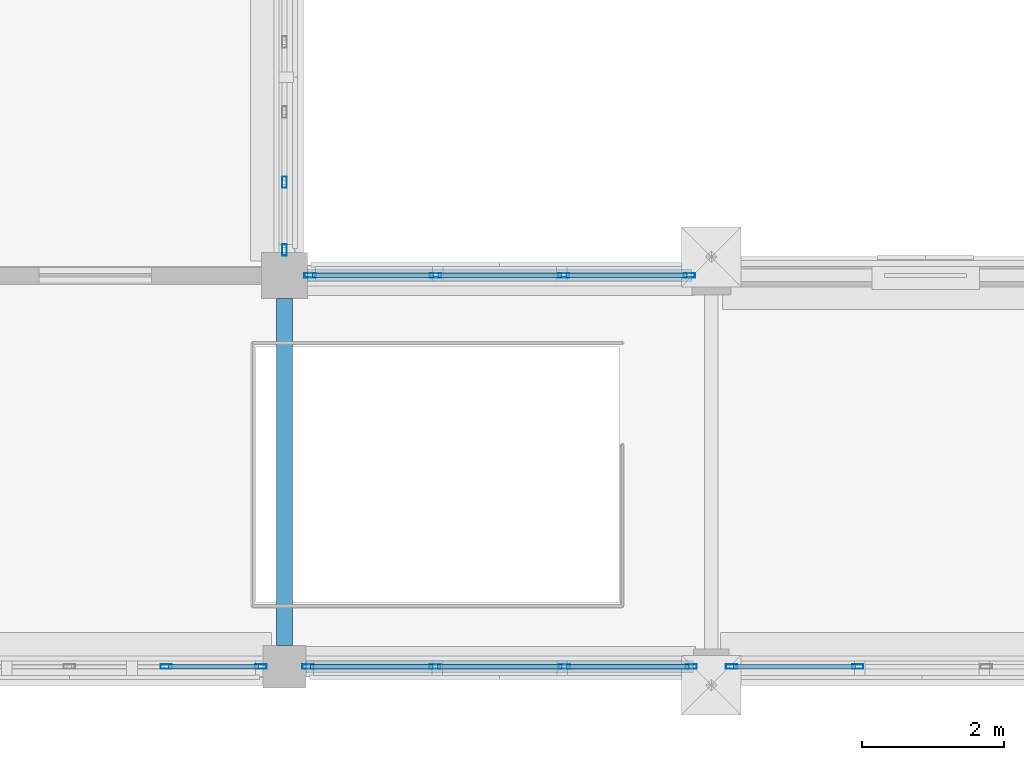
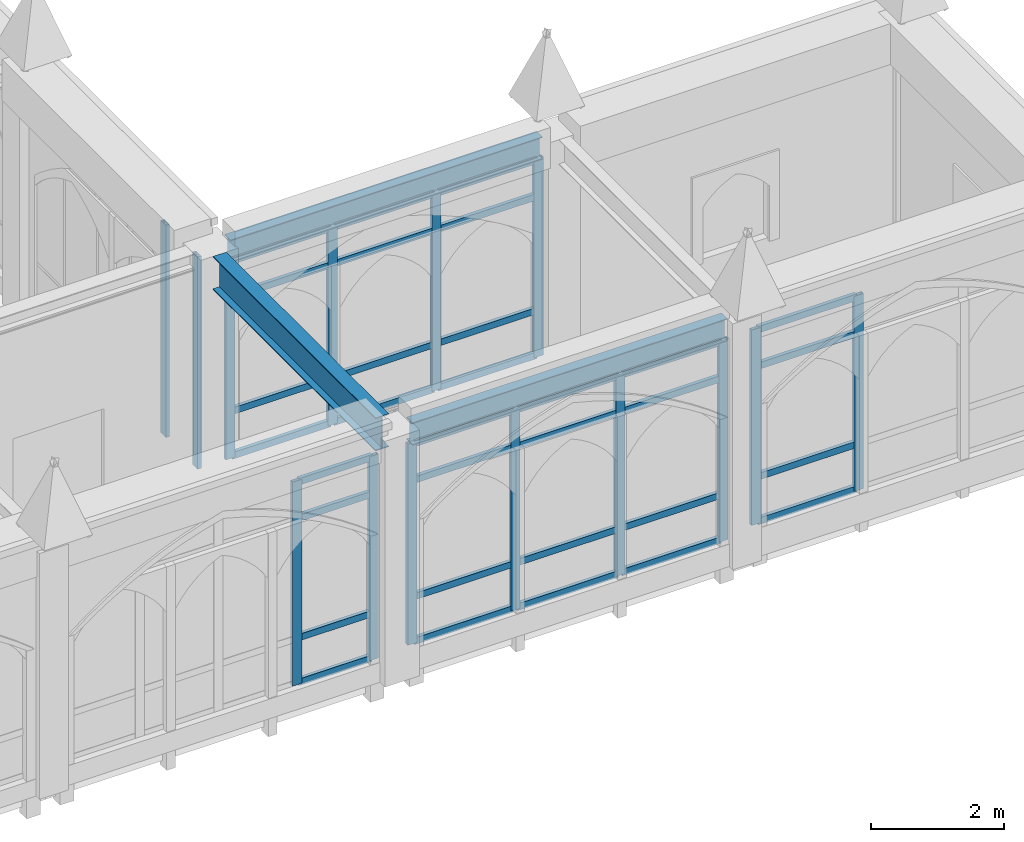
# One storey, part 35 of 143: 46 members, 3 beams, 5 elements without a shape of their own.
"""IFC4 building model written with IfcOpenShell, lengths in metres."""

from ifc_helpers import new_model, si_unit, direction, frame, origin, origin_2d, place, context, subcontext, project, spatial, hollow_rectangle, i_section, extrude, material, layer, layer_set, material_profile, profile_set, type_object, element, aggregate, save


model = new_model("IFC4")

# Units and contexts
model_context = context("Model", 3, precision=1e-05, world=origin(), true_north=direction((0.0, 1.0)))
body_context = subcontext(model_context, "Body", "Model", "MODEL_VIEW")
ifc_project = project(units=[si_unit("LENGTHUNIT", "METRE"), si_unit("AREAUNIT", "SQUARE_METRE"), si_unit("VOLUMEUNIT", "CUBIC_METRE"), si_unit("PLANEANGLEUNIT", "RADIAN"), si_unit("MASSUNIT", "GRAM", prefix="KILO")], contexts=[model_context])

# Site, building, storey
site_placement = place(None, origin())
site = spatial("IfcSite", under=ifc_project, at=site_placement, CompositionType="ELEMENT")
building_placement = place(site_placement, origin())
building = spatial("IfcBuilding", under=site, at=building_placement, Name="Cumevento Cable Car Station", CompositionType="ELEMENT")
storey_placement = place(building_placement, frame((0.0, 0.0, 9.0)))
storey = spatial("IfcBuildingStorey", under=building, at=storey_placement, Name="L03", CompositionType="ELEMENT", Elevation=9.0)

# Curtain wall, members
ifc_material_1 = material(Name="Anodised Bronze Aluminium AW-6063-T6", Category="aluminium")
ifc_layer_1 = layer(ifc_material_1, 0.23193359375)
ifc_layer_set_1 = layer_set([ifc_layer_1], Name="Anodised Bronze Aluminium AW-6063-T6")
curtain_wall_type_1 = type_object("IfcCurtainWallType", Name="Lancet Curtain Wall CW-13 1530", PredefinedType="NOTDEFINED", material=ifc_layer_set_1)
curtain_wall_1_placement = place(storey_placement, origin())
curtain_wall_1 = element("IfcCurtainWall", 1, at=curtain_wall_1_placement, inside=storey, type_object=curtain_wall_type_1, Name="Lancet Curtain Wall CW-13 L03 #76", PredefinedType="NOTDEFINED")
ifc_material_2 = material(Name="Anodised Bronze Aluminium AW-6063-T6", Category="aluminium")
ifc_material_profile_1 = material_profile(ifc_material_2, hollow_rectangle(XDim=0.06494140625, YDim=0.159912109375, WallThickness=0.00390625, at=origin_2d()), Name="ALUM65x160x4")
ifc_profile_set_1 = profile_set([ifc_material_profile_1], Name="Anodised Bronze Aluminium AW-6063-T6")
member_type_1 = type_object("IfcMemberType", Name="Curtain Mullion CWM-01 ALUM65x160x4", PredefinedType="MULLION", material=ifc_profile_set_1)
member_1_placement = place(storey_placement, frame((69.66748046875, 4.0, 0.360107421875), z_axis=(0.0, 0.0, 1.0), x_axis=(0.0, -1.0, 0.0)))
member_1 = element("IfcMember", 2, at=member_1_placement, type_object=member_type_1, Name="CW-13 mullion 1", PredefinedType="MULLION", context=body_context, shape_type="SweptSolid", body=[
    extrude(hollow_rectangle(XDim=0.06494140625, YDim=0.159912109375, WallThickness=0.00390625, at=origin_2d()), origin(), (0.0, 0.0, 1.0), 3.73291015625),
])
member_2_placement = place(storey_placement, frame((68.33740234375, 4.0, 0.360107421875), z_axis=(0.0, 0.0, 1.0), x_axis=(0.0, -1.0, 0.0)))
member_2 = element("IfcMember", 3, at=member_2_placement, type_object=member_type_1, Name="CW-13 mullion 2", PredefinedType="MULLION", context=body_context, shape_type="SweptSolid", body=[
    extrude(hollow_rectangle(XDim=0.06494140625, YDim=0.159912109375, WallThickness=0.00390625, at=origin_2d()), origin(), (0.0, 0.0, 1.0), 3.73291015625),
])

ifc_material_3 = material(Name="Anodised Bronze Aluminium AW-6063-T6", Category="aluminium")
ifc_layer_2 = layer(ifc_material_3, 0.238037109375)
ifc_layer_set_2 = layer_set([ifc_layer_2], Name="Anodised Bronze Aluminium AW-6063-T6")
curtain_wall_type_2 = type_object("IfcCurtainWallType", Name="Lancet Curtain Wall CW-14 1570", PredefinedType="NOTDEFINED", material=ifc_layer_set_2)
curtain_wall_2_placement = place(storey_placement, origin())
curtain_wall_2 = element("IfcCurtainWall", 4, at=curtain_wall_2_placement, inside=storey, type_object=curtain_wall_type_2, Name="Lancet Curtain Wall CW-14 L03 #77", PredefinedType="NOTDEFINED")
member_3_placement = place(storey_placement, frame((75.717529296875, 4.0, 0.409912109375), z_axis=(0.0, 0.0, 1.0), x_axis=(0.0, -1.0, 0.0)))
member_3 = element("IfcMember", 5, at=member_3_placement, type_object=member_type_1, Name="CW-14 mullion 1", PredefinedType="MULLION", context=body_context, shape_type="SweptSolid", body=[
    extrude(hollow_rectangle(XDim=0.06494140625, YDim=0.159912109375, WallThickness=0.00390625, at=origin_2d()), origin(), (0.0, 0.0, 1.0), 3.68310546875),
])
member_4_placement = place(storey_placement, frame((73.933349609375, 4.0, 0.409912109375), z_axis=(0.0, 0.0, 1.0), x_axis=(0.0, -1.0, 0.0)))
member_4 = element("IfcMember", 6, at=member_4_placement, type_object=member_type_1, Name="CW-14 mullion 2", PredefinedType="MULLION", context=body_context, shape_type="SweptSolid", body=[
    extrude(hollow_rectangle(XDim=0.06494140625, YDim=0.159912109375, WallThickness=0.00390625, at=origin_2d()), origin(), (0.0, 0.0, 1.0), 3.68310546875),
])
member_5_placement = place(storey_placement, frame((72.11669921875, 4.0, 0.409912109375), z_axis=(0.0, 0.0, 1.0), x_axis=(0.0, -1.0, 0.0)))
member_5 = element("IfcMember", 7, at=member_5_placement, type_object=member_type_1, Name="CW-14 mullion 3", PredefinedType="MULLION", context=body_context, shape_type="SweptSolid", body=[
    extrude(hollow_rectangle(XDim=0.06494140625, YDim=0.159912109375, WallThickness=0.00390625, at=origin_2d()), origin(), (0.0, 0.0, 1.0), 3.68310546875),
])
member_6_placement = place(storey_placement, frame((70.33251953125, 4.0, 0.409912109375), z_axis=(0.0, 0.0, 1.0), x_axis=(0.0, -1.0, 0.0)))
member_6 = element("IfcMember", 8, at=member_6_placement, type_object=member_type_1, Name="CW-14 mullion 4", PredefinedType="MULLION", context=body_context, shape_type="SweptSolid", body=[
    extrude(hollow_rectangle(XDim=0.06494140625, YDim=0.159912109375, WallThickness=0.00390625, at=origin_2d()), origin(), (0.0, 0.0, 1.0), 3.68310546875),
])

ifc_material_4 = material(Name="Anodised Bronze Aluminium AW-6063-T6", Category="aluminium")
ifc_layer_3 = layer(ifc_material_4, 0.243896484375)
ifc_layer_set_3 = layer_set([ifc_layer_3], Name="Anodised Bronze Aluminium AW-6063-T6")
curtain_wall_type_3 = type_object("IfcCurtainWallType", Name="Lancet Curtain Wall CW-15 1610", PredefinedType="NOTDEFINED", material=ifc_layer_set_3)
curtain_wall_3_placement = place(storey_placement, origin())
curtain_wall_3 = element("IfcCurtainWall", 9, at=curtain_wall_3_placement, inside=storey, type_object=curtain_wall_type_3, Name="Lancet Curtain Wall CW-15 L03 #78", PredefinedType="NOTDEFINED")
member_7_placement = place(storey_placement, frame((70.357421875, 9.5, 0.4599609375), z_axis=(0.0, 0.0, 1.0), x_axis=(0.0, 1.0, 0.0)))
member_7 = element("IfcMember", 10, at=member_7_placement, type_object=member_type_1, Name="CW-15 mullion 1", PredefinedType="MULLION", context=body_context, shape_type="SweptSolid", body=[
    extrude(hollow_rectangle(XDim=0.06494140625, YDim=0.159912109375, WallThickness=0.00390625, at=origin_2d()), origin(), (0.0, 0.0, 1.0), 3.633056640625),
])
member_8_placement = place(storey_placement, frame((72.125, 9.5, 0.4599609375), z_axis=(0.0, 0.0, 1.0), x_axis=(0.0, 1.0, 0.0)))
member_8 = element("IfcMember", 11, at=member_8_placement, type_object=member_type_1, Name="CW-15 mullion 2", PredefinedType="MULLION", context=body_context, shape_type="SweptSolid", body=[
    extrude(hollow_rectangle(XDim=0.06494140625, YDim=0.159912109375, WallThickness=0.00390625, at=origin_2d()), origin(), (0.0, 0.0, 1.0), 3.633056640625),
])
member_9_placement = place(storey_placement, frame((73.925048828125, 9.5, 0.4599609375), z_axis=(0.0, 0.0, 1.0), x_axis=(0.0, 1.0, 0.0)))
member_9 = element("IfcMember", 12, at=member_9_placement, type_object=member_type_1, Name="CW-15 mullion 3", PredefinedType="MULLION", context=body_context, shape_type="SweptSolid", body=[
    extrude(hollow_rectangle(XDim=0.06494140625, YDim=0.159912109375, WallThickness=0.00390625, at=origin_2d()), origin(), (0.0, 0.0, 1.0), 3.633056640625),
])
member_10_placement = place(storey_placement, frame((75.6923828125, 9.5, 0.4599609375), z_axis=(0.0, 0.0, 1.0), x_axis=(0.0, 1.0, 0.0)))
member_10 = element("IfcMember", 13, at=member_10_placement, type_object=member_type_1, Name="CW-15 mullion 4", PredefinedType="MULLION", context=body_context, shape_type="SweptSolid", body=[
    extrude(hollow_rectangle(XDim=0.06494140625, YDim=0.159912109375, WallThickness=0.00390625, at=origin_2d()), origin(), (0.0, 0.0, 1.0), 3.633056640625),
])

ifc_material_5 = material(Name="Anodised Bronze Aluminium AW-6063-T6", Category="aluminium")
ifc_layer_4 = layer(ifc_material_5, 0.25)
ifc_layer_set_4 = layer_set([ifc_layer_4], Name="Anodised Bronze Aluminium AW-6063-T6")
curtain_wall_type_4 = type_object("IfcCurtainWallType", Name="Lancet Curtain Wall CW-16 1650", PredefinedType="NOTDEFINED", material=ifc_layer_set_4)
curtain_wall_4_placement = place(storey_placement, origin())
curtain_wall_4 = element("IfcCurtainWall", 14, at=curtain_wall_4_placement, inside=storey, type_object=curtain_wall_type_4, Name="Lancet Curtain Wall CW-16 L03 #79", PredefinedType="NOTDEFINED")
member_11_placement = place(storey_placement, frame((78.058349609375, 4.0, 0.52001953125), z_axis=(0.0, 0.0, 1.0), x_axis=(0.0, -1.0, 0.0)))
member_11 = element("IfcMember", 15, at=member_11_placement, type_object=member_type_1, Name="CW-16 mullion 3", PredefinedType="MULLION", context=body_context, shape_type="SweptSolid", body=[
    extrude(hollow_rectangle(XDim=0.06494140625, YDim=0.159912109375, WallThickness=0.00390625, at=origin_2d()), origin(), (0.0, 0.0, 1.0), 3.572998046875),
])
member_12_placement = place(storey_placement, frame((76.282470703125, 4.0, 0.52001953125), z_axis=(0.0, 0.0, 1.0), x_axis=(0.0, -1.0, 0.0)))
member_12 = element("IfcMember", 16, at=member_12_placement, type_object=member_type_1, Name="CW-16 mullion 4", PredefinedType="MULLION", context=body_context, shape_type="SweptSolid", body=[
    extrude(hollow_rectangle(XDim=0.06494140625, YDim=0.159912109375, WallThickness=0.00390625, at=origin_2d()), origin(), (0.0, 0.0, 1.0), 3.572998046875),
])

ifc_material_6 = material(Name="Anodised Bronze Aluminium AW-6063-T6", Category="aluminium")
ifc_layer_5 = layer(ifc_material_6, 0.166015625)
ifc_layer_set_5 = layer_set([ifc_layer_5], Name="Anodised Bronze Aluminium AW-6063-T6")
curtain_wall_type_5 = type_object("IfcCurtainWallType", Name="Lancet Curtain Wall CW-02 1090", PredefinedType="NOTDEFINED", material=ifc_layer_set_5)
curtain_wall_5_placement = place(storey_placement, origin())
curtain_wall_5 = element("IfcCurtainWall", 17, at=curtain_wall_5_placement, inside=storey, type_object=curtain_wall_type_5, Name="Lancet Curtain Wall CW-02 L03 #81", PredefinedType="NOTDEFINED")
member_13_placement = place(storey_placement, frame((70.0, 10.81005859375, 0.2099609375), z_axis=(0.0, 0.0, 1.0), x_axis=(1.0, 0.0, 0.0)))
member_13 = element("IfcMember", 18, at=member_13_placement, type_object=member_type_1, Name="CW-02 mullion 5", PredefinedType="MULLION", context=body_context, shape_type="SweptSolid", body=[
    extrude(hollow_rectangle(XDim=0.06494140625, YDim=0.159912109375, WallThickness=0.00390625, at=origin_2d()), origin(), (0.0, 0.0, 1.0), 3.883056640625),
])
member_14_placement = place(storey_placement, frame((70.0, 9.857421875, 0.2099609375), z_axis=(0.0, 0.0, 1.0), x_axis=(1.0, 0.0, 0.0)))
member_14 = element("IfcMember", 19, at=member_14_placement, type_object=member_type_1, Name="CW-02 mullion 6", PredefinedType="MULLION", context=body_context, shape_type="SweptSolid", body=[
    extrude(hollow_rectangle(XDim=0.06494140625, YDim=0.159912109375, WallThickness=0.00390625, at=origin_2d()), origin(), (0.0, 0.0, 1.0), 3.883056640625),
])
aggregate(curtain_wall_5, [member_13, member_14])

# Member
ifc_material_7 = material(Name="Anodised Bronze Aluminium AW-6063-T6", Category="aluminium")
ifc_material_profile_2 = material_profile(ifc_material_7, hollow_rectangle(XDim=0.06494140625, YDim=0.1201171875, WallThickness=0.00390625, at=origin_2d()), Name="ALUT65x120x4")
ifc_profile_set_2 = profile_set([ifc_material_profile_2], Name="Anodised Bronze Aluminium AW-6063-T6")
member_type_2 = type_object("IfcMemberType", Name="Curtain Transom CWT-01 ALUT65x120x4", PredefinedType="USERDEFINED", material=ifc_profile_set_2)
member_15_placement = place(storey_placement, frame((69.635009765625, 4.0, 0.392578125), z_axis=(-1.0, 0.0, 0.0), x_axis=(0.0, -1.0, 0.0)))
member_15 = element("IfcMember", 20, at=member_15_placement, type_object=member_type_2, Name="CW-13 transom 1.1", ObjectType="TRANSOM", PredefinedType="USERDEFINED", context=body_context, shape_type="SweptSolid", body=[
    extrude(hollow_rectangle(XDim=0.06494140625, YDim=0.1201171875, WallThickness=0.00390625, at=origin_2d()), origin(), (0.0, 0.0, 1.0), 1.264892578125),
])

member_16_placement = place(storey_placement, frame((69.635009765625, 4.0, 1.2099609375), z_axis=(-1.0, 0.0, 0.0), x_axis=(0.0, -1.0, 0.0)))
member_16 = element("IfcMember", 21, at=member_16_placement, type_object=member_type_2, Name="CW-13 transom 1.2", ObjectType="TRANSOM", PredefinedType="USERDEFINED", context=body_context, shape_type="SweptSolid", body=[
    extrude(hollow_rectangle(XDim=0.06494140625, YDim=0.1201171875, WallThickness=0.00390625, at=origin_2d()), origin(), (0.0, 0.0, 1.0), 1.264892578125),
])

member_17_placement = place(storey_placement, frame((69.635009765625, 4.0, 3.39306640625), z_axis=(-1.0, 0.0, 0.0), x_axis=(0.0, -1.0, 0.0)))
member_17 = element("IfcMember", 22, at=member_17_placement, type_object=member_type_2, Name="CW-13 transom 1.3", ObjectType="TRANSOM", PredefinedType="USERDEFINED", context=body_context, shape_type="SweptSolid", body=[
    extrude(hollow_rectangle(XDim=0.06494140625, YDim=0.1201171875, WallThickness=0.00390625, at=origin_2d()), origin(), (0.0, 0.0, 1.0), 1.264892578125),
])

member_18_placement = place(storey_placement, frame((69.635009765625, 4.0, 4.060546875), z_axis=(-1.0, 0.0, 0.0), x_axis=(0.0, -1.0, 0.0)))
member_18 = element("IfcMember", 23, at=member_18_placement, type_object=member_type_2, Name="CW-13 transom 1.4", ObjectType="TRANSOM", PredefinedType="USERDEFINED", context=body_context, shape_type="SweptSolid", body=[
    extrude(hollow_rectangle(XDim=0.06494140625, YDim=0.1201171875, WallThickness=0.00390625, at=origin_2d()), origin(), (0.0, 0.0, 1.0), 1.264892578125),
])

aggregate(curtain_wall_1, [member_1, member_2, member_15, member_16, member_17, member_18])

member_19_placement = place(storey_placement, frame((75.68505859375, 4.0, 0.4423828125), z_axis=(-1.0, 0.0, 0.0), x_axis=(0.0, -1.0, 0.0)))
member_19 = element("IfcMember", 24, at=member_19_placement, type_object=member_type_2, Name="CW-14 transom 1.1", ObjectType="TRANSOM", PredefinedType="USERDEFINED", context=body_context, shape_type="SweptSolid", body=[
    extrude(hollow_rectangle(XDim=0.06494140625, YDim=0.1201171875, WallThickness=0.00390625, at=origin_2d()), origin(), (0.0, 0.0, 1.0), 1.71923828125),
])

member_20_placement = place(storey_placement, frame((75.68505859375, 4.0, 1.260009765625), z_axis=(-1.0, 0.0, 0.0), x_axis=(0.0, -1.0, 0.0)))
member_20 = element("IfcMember", 25, at=member_20_placement, type_object=member_type_2, Name="CW-14 transom 1.2", ObjectType="TRANSOM", PredefinedType="USERDEFINED", context=body_context, shape_type="SweptSolid", body=[
    extrude(hollow_rectangle(XDim=0.06494140625, YDim=0.1201171875, WallThickness=0.00390625, at=origin_2d()), origin(), (0.0, 0.0, 1.0), 1.71923828125),
])

member_21_placement = place(storey_placement, frame((75.68505859375, 4.0, 3.39306640625), z_axis=(-1.0, 0.0, 0.0), x_axis=(0.0, -1.0, 0.0)))
member_21 = element("IfcMember", 26, at=member_21_placement, type_object=member_type_2, Name="CW-14 transom 1.3", ObjectType="TRANSOM", PredefinedType="USERDEFINED", context=body_context, shape_type="SweptSolid", body=[
    extrude(hollow_rectangle(XDim=0.06494140625, YDim=0.1201171875, WallThickness=0.00390625, at=origin_2d()), origin(), (0.0, 0.0, 1.0), 1.71923828125),
])

member_22_placement = place(storey_placement, frame((75.68505859375, 4.0, 4.060546875), z_axis=(-1.0, 0.0, 0.0), x_axis=(0.0, -1.0, 0.0)))
member_22 = element("IfcMember", 27, at=member_22_placement, type_object=member_type_2, Name="CW-14 transom 1.4", ObjectType="TRANSOM", PredefinedType="USERDEFINED", context=body_context, shape_type="SweptSolid", body=[
    extrude(hollow_rectangle(XDim=0.06494140625, YDim=0.1201171875, WallThickness=0.00390625, at=origin_2d()), origin(), (0.0, 0.0, 1.0), 1.71923828125),
])

member_23_placement = place(storey_placement, frame((73.90087890625, 4.0, 0.4423828125), z_axis=(-1.0, 0.0, 0.0), x_axis=(0.0, -1.0, 0.0)))
member_23 = element("IfcMember", 28, at=member_23_placement, type_object=member_type_2, Name="CW-14 transom 2.1", ObjectType="TRANSOM", PredefinedType="USERDEFINED", context=body_context, shape_type="SweptSolid", body=[
    extrude(hollow_rectangle(XDim=0.06494140625, YDim=0.1201171875, WallThickness=0.00390625, at=origin_2d()), origin(), (0.0, 0.0, 1.0), 1.751708984375),
])

member_24_placement = place(storey_placement, frame((73.90087890625, 4.0, 1.260009765625), z_axis=(-1.0, 0.0, 0.0), x_axis=(0.0, -1.0, 0.0)))
member_24 = element("IfcMember", 29, at=member_24_placement, type_object=member_type_2, Name="CW-14 transom 2.2", ObjectType="TRANSOM", PredefinedType="USERDEFINED", context=body_context, shape_type="SweptSolid", body=[
    extrude(hollow_rectangle(XDim=0.06494140625, YDim=0.1201171875, WallThickness=0.00390625, at=origin_2d()), origin(), (0.0, 0.0, 1.0), 1.751708984375),
])

member_25_placement = place(storey_placement, frame((73.90087890625, 4.0, 3.39306640625), z_axis=(-1.0, 0.0, 0.0), x_axis=(0.0, -1.0, 0.0)))
member_25 = element("IfcMember", 30, at=member_25_placement, type_object=member_type_2, Name="CW-14 transom 2.3", ObjectType="TRANSOM", PredefinedType="USERDEFINED", context=body_context, shape_type="SweptSolid", body=[
    extrude(hollow_rectangle(XDim=0.06494140625, YDim=0.1201171875, WallThickness=0.00390625, at=origin_2d()), origin(), (0.0, 0.0, 1.0), 1.751708984375),
])

member_26_placement = place(storey_placement, frame((73.90087890625, 4.0, 4.060546875), z_axis=(-1.0, 0.0, 0.0), x_axis=(0.0, -1.0, 0.0)))
member_26 = element("IfcMember", 31, at=member_26_placement, type_object=member_type_2, Name="CW-14 transom 2.4", ObjectType="TRANSOM", PredefinedType="USERDEFINED", context=body_context, shape_type="SweptSolid", body=[
    extrude(hollow_rectangle(XDim=0.06494140625, YDim=0.1201171875, WallThickness=0.00390625, at=origin_2d()), origin(), (0.0, 0.0, 1.0), 1.751708984375),
])

member_27_placement = place(storey_placement, frame((72.084228515625, 4.0, 0.4423828125), z_axis=(-1.0, 0.0, 0.0), x_axis=(0.0, -1.0, 0.0)))
member_27 = element("IfcMember", 32, at=member_27_placement, type_object=member_type_2, Name="CW-14 transom 3.1", ObjectType="TRANSOM", PredefinedType="USERDEFINED", context=body_context, shape_type="SweptSolid", body=[
    extrude(hollow_rectangle(XDim=0.06494140625, YDim=0.1201171875, WallThickness=0.00390625, at=origin_2d()), origin(), (0.0, 0.0, 1.0), 1.71923828125),
])

member_28_placement = place(storey_placement, frame((72.084228515625, 4.0, 1.260009765625), z_axis=(-1.0, 0.0, 0.0), x_axis=(0.0, -1.0, 0.0)))
member_28 = element("IfcMember", 33, at=member_28_placement, type_object=member_type_2, Name="CW-14 transom 3.2", ObjectType="TRANSOM", PredefinedType="USERDEFINED", context=body_context, shape_type="SweptSolid", body=[
    extrude(hollow_rectangle(XDim=0.06494140625, YDim=0.1201171875, WallThickness=0.00390625, at=origin_2d()), origin(), (0.0, 0.0, 1.0), 1.71923828125),
])

member_29_placement = place(storey_placement, frame((72.084228515625, 4.0, 3.39306640625), z_axis=(-1.0, 0.0, 0.0), x_axis=(0.0, -1.0, 0.0)))
member_29 = element("IfcMember", 34, at=member_29_placement, type_object=member_type_2, Name="CW-14 transom 3.3", ObjectType="TRANSOM", PredefinedType="USERDEFINED", context=body_context, shape_type="SweptSolid", body=[
    extrude(hollow_rectangle(XDim=0.06494140625, YDim=0.1201171875, WallThickness=0.00390625, at=origin_2d()), origin(), (0.0, 0.0, 1.0), 1.71923828125),
])

member_30_placement = place(storey_placement, frame((72.084228515625, 4.0, 4.060546875), z_axis=(-1.0, 0.0, 0.0), x_axis=(0.0, -1.0, 0.0)))
member_30 = element("IfcMember", 35, at=member_30_placement, type_object=member_type_2, Name="CW-14 transom 3.4", ObjectType="TRANSOM", PredefinedType="USERDEFINED", context=body_context, shape_type="SweptSolid", body=[
    extrude(hollow_rectangle(XDim=0.06494140625, YDim=0.1201171875, WallThickness=0.00390625, at=origin_2d()), origin(), (0.0, 0.0, 1.0), 1.71923828125),
])

aggregate(curtain_wall_2, [member_3, member_4, member_5, member_6, member_19, member_20, member_21, member_22, member_23, member_24, member_25, member_26, member_27, member_28, member_29, member_30])

member_31_placement = place(storey_placement, frame((70.389892578125, 9.5, 0.492431640625), z_axis=(1.0, 0.0, 0.0), x_axis=(0.0, 1.0, 0.0)))
member_31 = element("IfcMember", 36, at=member_31_placement, type_object=member_type_2, Name="CW-15 transom 1.1", ObjectType="TRANSOM", PredefinedType="USERDEFINED", context=body_context, shape_type="SweptSolid", body=[
    extrude(hollow_rectangle(XDim=0.06494140625, YDim=0.1201171875, WallThickness=0.00390625, at=origin_2d()), origin(), (0.0, 0.0, 1.0), 1.70263671875),
])

member_32_placement = place(storey_placement, frame((70.389892578125, 9.5, 1.31005859375), z_axis=(1.0, 0.0, 0.0), x_axis=(0.0, 1.0, 0.0)))
member_32 = element("IfcMember", 37, at=member_32_placement, type_object=member_type_2, Name="CW-15 transom 1.2", ObjectType="TRANSOM", PredefinedType="USERDEFINED", context=body_context, shape_type="SweptSolid", body=[
    extrude(hollow_rectangle(XDim=0.06494140625, YDim=0.1201171875, WallThickness=0.00390625, at=origin_2d()), origin(), (0.0, 0.0, 1.0), 1.70263671875),
])

member_33_placement = place(storey_placement, frame((70.389892578125, 9.5, 3.39306640625), z_axis=(1.0, 0.0, 0.0), x_axis=(0.0, 1.0, 0.0)))
member_33 = element("IfcMember", 38, at=member_33_placement, type_object=member_type_2, Name="CW-15 transom 1.3", ObjectType="TRANSOM", PredefinedType="USERDEFINED", context=body_context, shape_type="SweptSolid", body=[
    extrude(hollow_rectangle(XDim=0.06494140625, YDim=0.1201171875, WallThickness=0.00390625, at=origin_2d()), origin(), (0.0, 0.0, 1.0), 1.70263671875),
])

member_34_placement = place(storey_placement, frame((70.389892578125, 9.5, 4.060546875), z_axis=(1.0, 0.0, 0.0), x_axis=(0.0, 1.0, 0.0)))
member_34 = element("IfcMember", 39, at=member_34_placement, type_object=member_type_2, Name="CW-15 transom 1.4", ObjectType="TRANSOM", PredefinedType="USERDEFINED", context=body_context, shape_type="SweptSolid", body=[
    extrude(hollow_rectangle(XDim=0.06494140625, YDim=0.1201171875, WallThickness=0.00390625, at=origin_2d()), origin(), (0.0, 0.0, 1.0), 1.70263671875),
])

member_35_placement = place(storey_placement, frame((72.157470703125, 9.5, 0.492431640625), z_axis=(1.0, 0.0, 0.0), x_axis=(0.0, 1.0, 0.0)))
member_35 = element("IfcMember", 40, at=member_35_placement, type_object=member_type_2, Name="CW-15 transom 2.1", ObjectType="TRANSOM", PredefinedType="USERDEFINED", context=body_context, shape_type="SweptSolid", body=[
    extrude(hollow_rectangle(XDim=0.06494140625, YDim=0.1201171875, WallThickness=0.00390625, at=origin_2d()), origin(), (0.0, 0.0, 1.0), 1.735107421875),
])

member_36_placement = place(storey_placement, frame((72.157470703125, 9.5, 1.31005859375), z_axis=(1.0, 0.0, 0.0), x_axis=(0.0, 1.0, 0.0)))
member_36 = element("IfcMember", 41, at=member_36_placement, type_object=member_type_2, Name="CW-15 transom 2.2", ObjectType="TRANSOM", PredefinedType="USERDEFINED", context=body_context, shape_type="SweptSolid", body=[
    extrude(hollow_rectangle(XDim=0.06494140625, YDim=0.1201171875, WallThickness=0.00390625, at=origin_2d()), origin(), (0.0, 0.0, 1.0), 1.735107421875),
])

member_37_placement = place(storey_placement, frame((72.157470703125, 9.5, 3.39306640625), z_axis=(1.0, 0.0, 0.0), x_axis=(0.0, 1.0, 0.0)))
member_37 = element("IfcMember", 42, at=member_37_placement, type_object=member_type_2, Name="CW-15 transom 2.3", ObjectType="TRANSOM", PredefinedType="USERDEFINED", context=body_context, shape_type="SweptSolid", body=[
    extrude(hollow_rectangle(XDim=0.06494140625, YDim=0.1201171875, WallThickness=0.00390625, at=origin_2d()), origin(), (0.0, 0.0, 1.0), 1.735107421875),
])

member_38_placement = place(storey_placement, frame((72.157470703125, 9.5, 4.060546875), z_axis=(1.0, 0.0, 0.0), x_axis=(0.0, 1.0, 0.0)))
member_38 = element("IfcMember", 43, at=member_38_placement, type_object=member_type_2, Name="CW-15 transom 2.4", ObjectType="TRANSOM", PredefinedType="USERDEFINED", context=body_context, shape_type="SweptSolid", body=[
    extrude(hollow_rectangle(XDim=0.06494140625, YDim=0.1201171875, WallThickness=0.00390625, at=origin_2d()), origin(), (0.0, 0.0, 1.0), 1.735107421875),
])

member_39_placement = place(storey_placement, frame((73.95751953125, 9.5, 0.492431640625), z_axis=(1.0, 0.0, 0.0), x_axis=(0.0, 1.0, 0.0)))
member_39 = element("IfcMember", 44, at=member_39_placement, type_object=member_type_2, Name="CW-15 transom 3.1", ObjectType="TRANSOM", PredefinedType="USERDEFINED", context=body_context, shape_type="SweptSolid", body=[
    extrude(hollow_rectangle(XDim=0.06494140625, YDim=0.1201171875, WallThickness=0.00390625, at=origin_2d()), origin(), (0.0, 0.0, 1.0), 1.702392578125),
])

member_40_placement = place(storey_placement, frame((73.95751953125, 9.5, 1.31005859375), z_axis=(1.0, 0.0, 0.0), x_axis=(0.0, 1.0, 0.0)))
member_40 = element("IfcMember", 45, at=member_40_placement, type_object=member_type_2, Name="CW-15 transom 3.2", ObjectType="TRANSOM", PredefinedType="USERDEFINED", context=body_context, shape_type="SweptSolid", body=[
    extrude(hollow_rectangle(XDim=0.06494140625, YDim=0.1201171875, WallThickness=0.00390625, at=origin_2d()), origin(), (0.0, 0.0, 1.0), 1.702392578125),
])

member_41_placement = place(storey_placement, frame((73.95751953125, 9.5, 3.39306640625), z_axis=(1.0, 0.0, 0.0), x_axis=(0.0, 1.0, 0.0)))
member_41 = element("IfcMember", 46, at=member_41_placement, type_object=member_type_2, Name="CW-15 transom 3.3", ObjectType="TRANSOM", PredefinedType="USERDEFINED", context=body_context, shape_type="SweptSolid", body=[
    extrude(hollow_rectangle(XDim=0.06494140625, YDim=0.1201171875, WallThickness=0.00390625, at=origin_2d()), origin(), (0.0, 0.0, 1.0), 1.702392578125),
])

member_42_placement = place(storey_placement, frame((73.95751953125, 9.5, 4.060546875), z_axis=(1.0, 0.0, 0.0), x_axis=(0.0, 1.0, 0.0)))
member_42 = element("IfcMember", 47, at=member_42_placement, type_object=member_type_2, Name="CW-15 transom 3.4", ObjectType="TRANSOM", PredefinedType="USERDEFINED", context=body_context, shape_type="SweptSolid", body=[
    extrude(hollow_rectangle(XDim=0.06494140625, YDim=0.1201171875, WallThickness=0.00390625, at=origin_2d()), origin(), (0.0, 0.0, 1.0), 1.702392578125),
])

aggregate(curtain_wall_3, [member_7, member_8, member_9, member_10, member_31, member_32, member_33, member_34, member_35, member_36, member_37, member_38, member_39, member_40, member_41, member_42])

member_43_placement = place(storey_placement, frame((78.02587890625, 4.0, 0.552490234375), z_axis=(-1.0, 0.0, 0.0), x_axis=(0.0, -1.0, 0.0)))
member_43 = element("IfcMember", 48, at=member_43_placement, type_object=member_type_2, Name="CW-16 transom 3.1", ObjectType="TRANSOM", PredefinedType="USERDEFINED", context=body_context, shape_type="SweptSolid", body=[
    extrude(hollow_rectangle(XDim=0.06494140625, YDim=0.1201171875, WallThickness=0.00390625, at=origin_2d()), origin(), (0.0, 0.0, 1.0), 1.7109375),
])

member_44_placement = place(storey_placement, frame((78.02587890625, 4.0, 1.3701171875), z_axis=(-1.0, 0.0, 0.0), x_axis=(0.0, -1.0, 0.0)))
member_44 = element("IfcMember", 49, at=member_44_placement, type_object=member_type_2, Name="CW-16 transom 3.2", ObjectType="TRANSOM", PredefinedType="USERDEFINED", context=body_context, shape_type="SweptSolid", body=[
    extrude(hollow_rectangle(XDim=0.06494140625, YDim=0.1201171875, WallThickness=0.00390625, at=origin_2d()), origin(), (0.0, 0.0, 1.0), 1.7109375),
])

member_45_placement = place(storey_placement, frame((78.02587890625, 4.0, 3.39306640625), z_axis=(-1.0, 0.0, 0.0), x_axis=(0.0, -1.0, 0.0)))
member_45 = element("IfcMember", 50, at=member_45_placement, type_object=member_type_2, Name="CW-16 transom 3.3", ObjectType="TRANSOM", PredefinedType="USERDEFINED", context=body_context, shape_type="SweptSolid", body=[
    extrude(hollow_rectangle(XDim=0.06494140625, YDim=0.1201171875, WallThickness=0.00390625, at=origin_2d()), origin(), (0.0, 0.0, 1.0), 1.7109375),
])

member_46_placement = place(storey_placement, frame((78.02587890625, 4.0, 4.060546875), z_axis=(-1.0, 0.0, 0.0), x_axis=(0.0, -1.0, 0.0)))
member_46 = element("IfcMember", 51, at=member_46_placement, type_object=member_type_2, Name="CW-16 transom 3.4", ObjectType="TRANSOM", PredefinedType="USERDEFINED", context=body_context, shape_type="SweptSolid", body=[
    extrude(hollow_rectangle(XDim=0.06494140625, YDim=0.1201171875, WallThickness=0.00390625, at=origin_2d()), origin(), (0.0, 0.0, 1.0), 1.7109375),
])

aggregate(curtain_wall_4, [member_11, member_12, member_43, member_44, member_45, member_46])

# Beams
ifc_material_8 = material(Name="Steel ASTM A572 Grade 50", Category="steel")
ifc_material_profile_3 = material_profile(ifc_material_8, i_section(OverallWidth=0.22802734375, OverallDepth=0.60791015625, WebThickness=0.01123046875, FlangeThickness=0.017333984375, at=origin_2d()), Name="W610x113.0")
ifc_profile_set_3 = profile_set([ifc_material_profile_3], Name="Steel ASTM A572 Grade 50")
beam_type_1 = type_object("IfcBeamType", Name="Structural Beam BM-02 W610x113.0", PredefinedType="BEAM", material=ifc_profile_set_3)
beam_1_placement = place(storey_placement, frame((70.0, 4.300048828125, 4.196044921875), z_axis=(0.0, 1.0, 0.0), x_axis=(-1.0, 0.0, 0.0)))
element("IfcBeam", 52, at=beam_1_placement, inside=storey, type_object=beam_type_1, Name="Beam BM-02 L03 #961", PredefinedType="BEAM", context=body_context, shape_type="SweptSolid", body=[
    extrude(i_section(OverallWidth=0.22802734375, OverallDepth=0.60791015625, WebThickness=0.01123046875, FlangeThickness=0.017333984375, at=origin_2d()), origin(), (0.0, 0.0, 1.0), 4.875),
])
ifc_material_9 = material(Name="Steel ASTM A572 Grade 50", Category="steel")
ifc_material_profile_4 = material_profile(ifc_material_9, i_section(OverallWidth=0.177978515625, OverallDepth=0.406982421875, WebThickness=0.0078125, FlangeThickness=0.0126953125, at=origin_2d()), Name="W410x60.0")
ifc_profile_set_4 = profile_set([ifc_material_profile_4], Name="Steel ASTM A572 Grade 50")
beam_type_2 = type_object("IfcBeamType", Name="Structural Spandrel SP-01 W410x60.0", PredefinedType="SPANDREL", material=ifc_profile_set_4)
beam_2_placement = place(storey_placement, frame((70.300048828125, 4.0, 4.29638671875), z_axis=(1.0, 0.0, 0.0), x_axis=(0.0, 1.0, 0.0)))
element("IfcBeam", 53, at=beam_2_placement, inside=storey, type_object=beam_type_2, Name="Beam SP-01 L03 #950", PredefinedType="SPANDREL", context=body_context, shape_type="SweptSolid", body=[
    extrude(i_section(OverallWidth=0.177978515625, OverallDepth=0.406982421875, WebThickness=0.0078125, FlangeThickness=0.0126953125, at=origin_2d()), origin(), (0.0, 0.0, 1.0), 5.449951171875),
])
beam_3_placement = place(storey_placement, frame((70.324951171875, 9.5, 4.29638671875), z_axis=(1.0, 0.0, 0.0), x_axis=(0.0, 1.0, 0.0)))
element("IfcBeam", 54, at=beam_3_placement, inside=storey, type_object=beam_type_2, Name="Beam SP-01 L03 #956", PredefinedType="SPANDREL", context=body_context, shape_type="SweptSolid", body=[
    extrude(i_section(OverallWidth=0.177978515625, OverallDepth=0.406982421875, WebThickness=0.0078125, FlangeThickness=0.0126953125, at=origin_2d()), origin(), (0.0, 0.0, 1.0), 5.400146484375),
])

save(model, "model.ifc")
